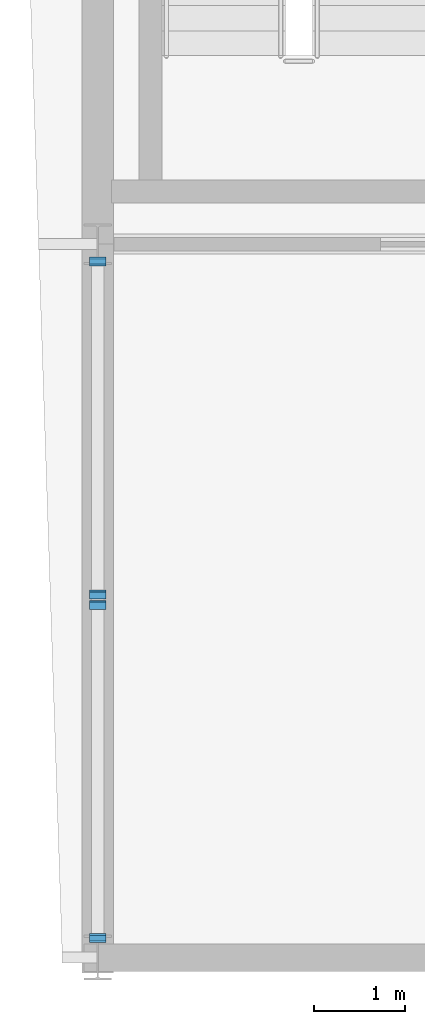
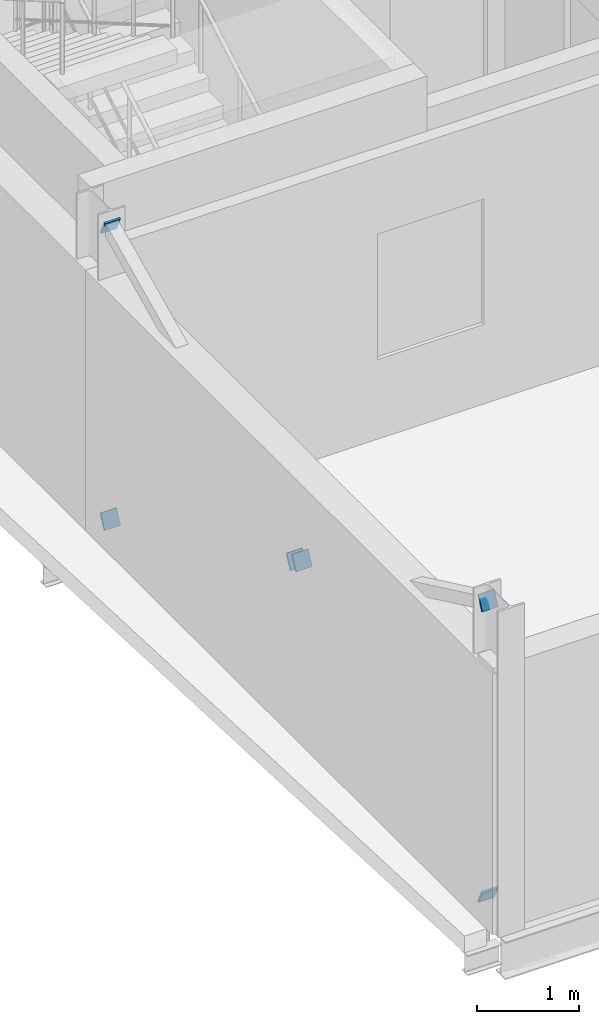
# One storey, part 9 of 17: 6 plates.
"""IFC4 building model written with IfcOpenShell, lengths in metres."""

from ifc_helpers import new_model, si_unit, direction, frame, origin, origin_2d, place, context, subcontext, project, spatial, rectangle, extrude, material, material_profile, profile_set, type_object, element, save


model = new_model("IFC4")

# Units and contexts
model_context = context("Model", 3, precision=1e-05, world=origin(), true_north=direction((0.0, 1.0)))
body_context = subcontext(model_context, "Body", "Model", "MODEL_VIEW")
ifc_project = project(units=[si_unit("LENGTHUNIT", "METRE"), si_unit("AREAUNIT", "SQUARE_METRE"), si_unit("VOLUMEUNIT", "CUBIC_METRE"), si_unit("PLANEANGLEUNIT", "RADIAN"), si_unit("MASSUNIT", "GRAM", prefix="KILO")], contexts=[model_context])

# Site, building, storey
site_placement = place(None, origin())
site = spatial("IfcSite", under=ifc_project, at=site_placement, CompositionType="ELEMENT")
building_placement = place(site_placement, origin())
building = spatial("IfcBuilding", under=site, at=building_placement, Name="Vinh Khe Railworks Police Headquarters", CompositionType="ELEMENT")
storey_placement = place(building_placement, frame((0.0, 0.0, 24.89990234375)))
storey = spatial("IfcBuildingStorey", under=building, at=storey_placement, Name="L06", CompositionType="ELEMENT", Elevation=24.89990234375)

# Plates
ifc_material = material(Name="Steel S355JR", Category="steel")
ifc_material_profile = material_profile(ifc_material, rectangle(XDim=0.179931640625, YDim=0.179931640625, at=origin_2d()), Name="PL 180x180")
ifc_profile_set = profile_set([ifc_material_profile], Name="Steel S355JR")
plate_type = type_object("IfcPlateType", Name="Steel End-Cap Plate 180x180x24", PredefinedType="SHEET", material=ifc_profile_set)
plate_1_placement = place(storey_placement, frame((0.60009765625, 17.625, 0.2001953125), z_axis=(0.0, -0.900415007239, -0.43503196979), x_axis=(1.0, 0.0, 0.0)))
element("IfcPlate", 1, at=plate_1_placement, inside=storey, type_object=plate_type, Name="End-Cap Gusset Plate PLT-EP-0009", PredefinedType="SHEET", context=body_context, shape_type="SweptSolid", body=[
    extrude(rectangle(XDim=0.179931640625, YDim=0.179931640625, at=origin_2d()), origin(), (0.0, 0.0, 1.0), 0.024169921875),
])
for number, where, z_axis, x_axis, name in (
    (2, (0.60009765625, 17.625, 3.7001953125), (0.0, -0.904357603074, 0.42677549808), (1.0, 0.0, 0.0), "End-Cap Gusset Plate PLT-EP-0010"),
    (3, (0.60009765625, 21.24658203125, 1.981201171875), (0.0, 0.904357603074, -0.42677549808), (-1.0, 0.0, 0.0), "End-Cap Gusset Plate PLT-EP-0024"),
    (4, (0.60009765625, 21.37841796875, 1.9189453125), (0.0, -0.904357603074, 0.42677549808), (1.0, 0.0, 0.0), "End-Cap Gusset Plate PLT-EP-0028"),
):
    element("IfcPlate", number, at=place(storey_placement, frame(where, z_axis=z_axis, x_axis=x_axis)), inside=storey, type_object=plate_type, Name=name, PredefinedType="SHEET", context=body_context, shape_type="SweptSolid", body=[
        extrude(rectangle(XDim=0.179931640625, YDim=0.179931640625, at=origin_2d()), origin(), (0.0, 0.0, 1.0), 0.02392578125),
    ])
plate_2_placement = place(storey_placement, frame((0.60009765625, 25.0, 0.2001953125), z_axis=(0.0, 0.900415007239, -0.43503196979), x_axis=(-1.0, 0.0, 0.0)))
element("IfcPlate", 5, at=plate_2_placement, inside=storey, type_object=plate_type, Name="End-Cap Gusset Plate PLT-EP-0041", PredefinedType="SHEET", context=body_context, shape_type="SweptSolid", body=[
    extrude(rectangle(XDim=0.179931640625, YDim=0.179931640625, at=origin_2d()), origin(), (0.0, 0.0, 1.0), 0.024169921875),
])
plate_3_placement = place(storey_placement, frame((0.60009765625, 25.0, 3.7001953125), z_axis=(0.0, 0.904357603074, 0.42677549808), x_axis=(-1.0, 0.0, 0.0)))
element("IfcPlate", 6, at=plate_3_placement, inside=storey, type_object=plate_type, Name="End-Cap Gusset Plate PLT-EP-0042", PredefinedType="SHEET", context=body_context, shape_type="SweptSolid", body=[
    extrude(rectangle(XDim=0.179931640625, YDim=0.179931640625, at=origin_2d()), origin(), (0.0, 0.0, 1.0), 0.02392578125),
])

save(model, "model.ifc")
